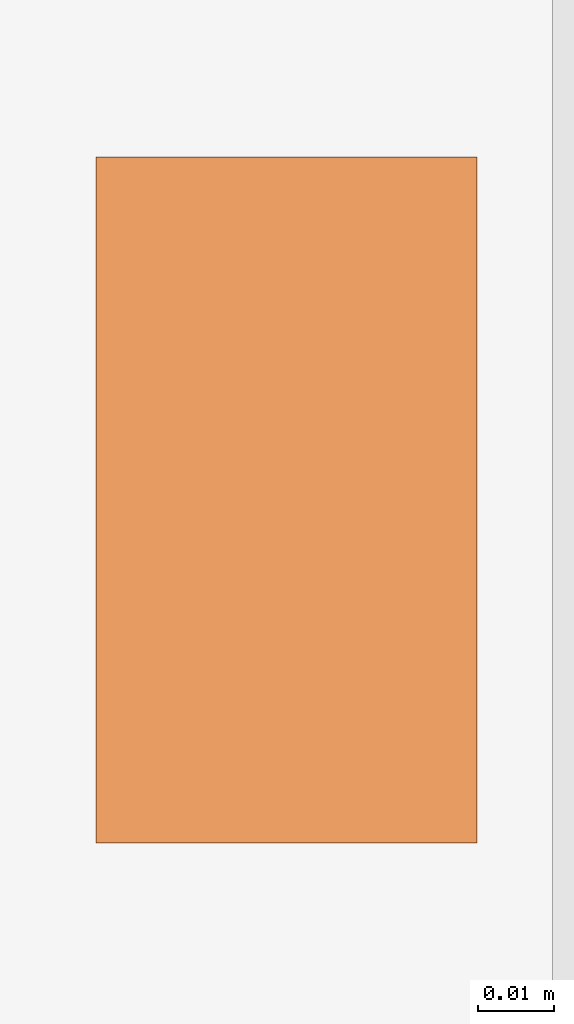
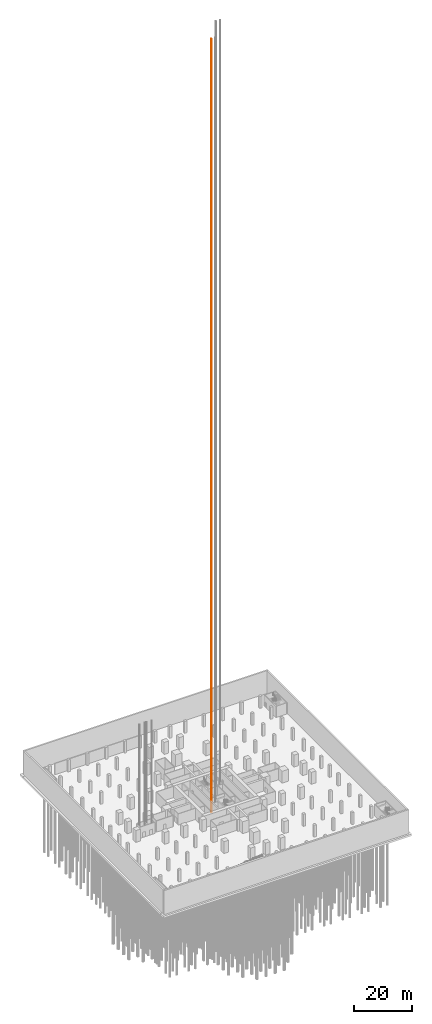
# One storey, part 28 of 31: 1 proxy.
"""IFC4 building model written with IfcOpenShell, lengths in metres."""

from ifc_helpers import new_model, si_unit, direction, frame, origin, origin_2d, place, context, subcontext, project, spatial, rectangle, extrude, material, element, save


model = new_model("IFC4")

# Units and contexts
model_context = context("Model", 3, precision=1e-05, world=origin(), true_north=direction((0.0, 1.0)))
body_context = subcontext(model_context, "Body", "Model", "MODEL_VIEW")
ifc_project = project(units=[si_unit("LENGTHUNIT", "METRE"), si_unit("AREAUNIT", "SQUARE_METRE"), si_unit("VOLUMEUNIT", "CUBIC_METRE"), si_unit("PLANEANGLEUNIT", "RADIAN"), si_unit("MASSUNIT", "GRAM", prefix="KILO")], contexts=[model_context])

# Site, building, storey
site_placement = place(None, origin())
site = spatial("IfcSite", under=ifc_project, at=site_placement, CompositionType="ELEMENT")
building_placement = place(site_placement, origin())
building = spatial("IfcBuilding", under=site, at=building_placement, Name="Mizan Broadcast Tower", CompositionType="ELEMENT")
storey_placement = place(building_placement, frame((0.0, 0.0, -10.0)))
storey = spatial("IfcBuildingStorey", under=building, at=storey_placement, Name="B2", CompositionType="ELEMENT", Elevation=-10.0)

# Proxy
ifc_material = material(Name="Steel guide rail", Category="steel")
proxy_placement = place(storey_placement, frame((-4.159912109375, -4.175048828125, 0.0), z_axis=(0.0, 0.0, 1.0), x_axis=(1.0, 0.0, 0.0)))
element("IfcBuildingElementProxy", 1, at=proxy_placement, inside=storey, material=ifc_material, Name="Guide rail FF1-1", PredefinedType="NOTDEFINED", context=body_context, shape_type="SweptSolid", body=[
    extrude(rectangle(XDim=0.050048828125, YDim=0.090087890625, at=origin_2d()), origin(), (0.0, 0.0, 1.0), 326.0),
])

save(model, "model.ifc")
